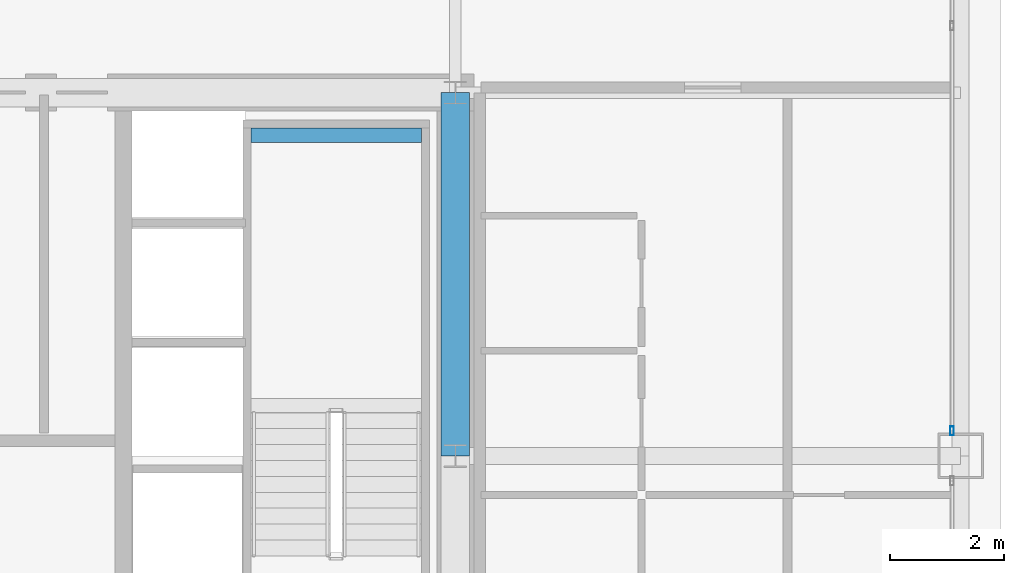
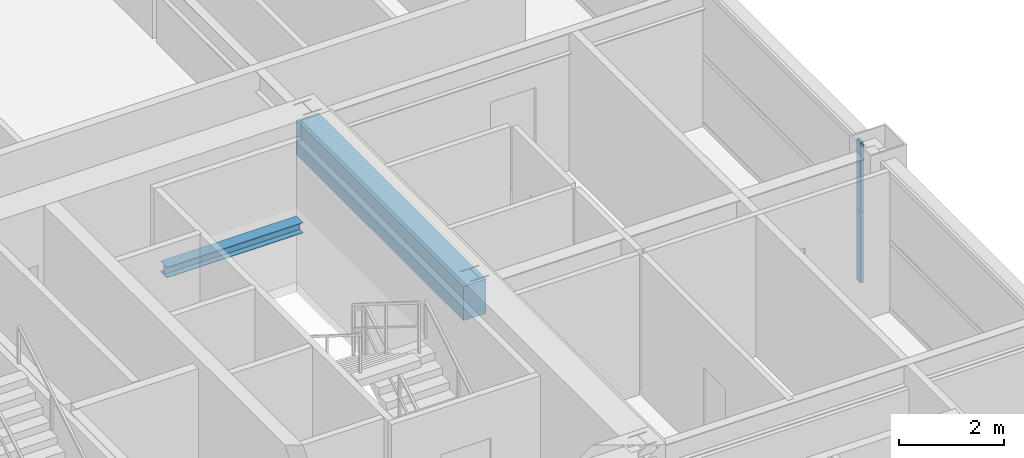
# One storey, part 27 of 45: 2 beams, 2 members, 1 element without a shape of its own.
"""IFC4 building model written with IfcOpenShell, lengths in metres."""

from ifc_helpers import new_model, si_unit, direction, frame, origin, origin_2d, place, context, subcontext, project, spatial, rectangle, hollow_rectangle, i_section, extrude, source, transform, mapped, material, layer, layer_set, material_profile, profile_set, type_object, element, aggregate, save


model = new_model("IFC4")

# Units and contexts
model_context = context("Model", 3, precision=1e-05, world=origin(), true_north=direction((0.0, 1.0)))
body_context = subcontext(model_context, "Body", "Model", "MODEL_VIEW")
ifc_project = project(units=[si_unit("LENGTHUNIT", "METRE"), si_unit("AREAUNIT", "SQUARE_METRE"), si_unit("VOLUMEUNIT", "CUBIC_METRE"), si_unit("PLANEANGLEUNIT", "RADIAN"), si_unit("MASSUNIT", "GRAM", prefix="KILO"), si_unit("THERMODYNAMICTEMPERATUREUNIT", "KELVIN"), si_unit("POWERUNIT", "WATT")], contexts=[model_context])

# Site, building, storey
site_placement = place(None, origin())
site = spatial("IfcSite", under=ifc_project, at=site_placement, CompositionType="ELEMENT")
building_placement = place(site_placement, origin())
building = spatial("IfcBuilding", under=site, at=building_placement, Name="Yuzanri Waterfront Tower", CompositionType="ELEMENT")
storey_placement = place(building_placement, frame((0.0, 0.0, 198.5)))
storey = spatial("IfcBuildingStorey", under=building, at=storey_placement, Name="L52", CompositionType="ELEMENT", Elevation=198.5)

# Beam
ifc_material_1 = material(Name="Concrete C50", Category="concrete")
ifc_material_profile_1 = material_profile(ifc_material_1, rectangle(XDim=0.5, YDim=0.800048828125, at=origin_2d()), Name="RC 500x800")
ifc_profile_set_1 = profile_set([ifc_material_profile_1], Name="Concrete C50")
beam_type_1 = type_object("IfcBeamType", Name="Core Coupling Lintel Concrete C50 500x800", PredefinedType="LINTEL", material=ifc_profile_set_1)
shared_shape_1 = source(origin(), body_context, "Body", "SweptSolid", [
    extrude(rectangle(XDim=0.5, YDim=0.800048828125, at=origin_2d()), origin(), (0.0, 0.0, 1.0), 6.39990234375),
])
beam_1_placement = place(storey_placement, frame((50.199951171875, 25.800048828125, 2.8798828125), z_axis=(0.0, 1.0, 0.0), x_axis=(-1.0, 0.0, 0.0)))
element("IfcBeam", 1, at=beam_1_placement, inside=storey, type_object=beam_type_1, Name="L52 Core Tie Beam CE2", PredefinedType="LINTEL", context=body_context, shape_type="MappedRepresentation", body=[
    mapped(shared_shape_1, transform((0.0, 0.0, 0.0), scale=1.0)),
])

# Curtain wall, members
ifc_material_2 = material(Name="Anodized Architectural Bronze", Category="metal")
ifc_layer = layer(ifc_material_2, 0.159912109375)
ifc_layer_set = layer_set([ifc_layer], Name="Anodized Architectural Bronze")
curtain_wall_type = type_object("IfcCurtainWallType", Name="Anodized Bronze Mid-Rise Residential Acoustic Unitized Curtain Wall 7200", PredefinedType="NOTDEFINED", material=ifc_layer_set)
curtain_wall_placement = place(storey_placement, origin())
curtain_wall = element("IfcCurtainWall", 2, at=curtain_wall_placement, inside=storey, type_object=curtain_wall_type, Name="L52 Curtain Wall CW-L52-ER", PredefinedType="NOTDEFINED")
ifc_material_3 = material(Name="Anodized Architectural Bronze", Category="metal")
ifc_material_profile_2 = material_profile(ifc_material_3, hollow_rectangle(XDim=0.06494140625, YDim=0.159912109375, WallThickness=0.00341796875, at=origin_2d()), Name="CWM 65x160")
ifc_profile_set_2 = profile_set([ifc_material_profile_2], Name="Anodized Architectural Bronze")
member_type = type_object("IfcMemberType", Name="Anodized Bronze Upper-Zone Curtain-Wall Mullion 65x160", PredefinedType="MULLION", material=ifc_profile_set_2)
shared_shape_2 = source(origin(), body_context, "Body", "SweptSolid", [
    extrude(hollow_rectangle(XDim=0.06494140625, YDim=0.159912109375, WallThickness=0.00341796875, at=origin_2d()), origin(), (0.0, 0.0, 1.0), 1.637939453125),
])
member_1_placement = place(storey_placement, frame((58.949951171875, 26.239990234375, 0.0), z_axis=(0.0, 0.0, 1.0), x_axis=(1.0, 0.0, 0.0)))
member_1 = element("IfcMember", 3, at=member_1_placement, type_object=member_type, Name="CW-L52-ER Lower Mullion 00", PredefinedType="MULLION", context=body_context, shape_type="MappedRepresentation", body=[
    mapped(shared_shape_2, transform((0.0, 0.0, 0.0), scale=1.0)),
])
member_2_placement = place(storey_placement, frame((58.949951171875, 26.239990234375, 1.64208984375), z_axis=(0.0, 0.0, 1.0), x_axis=(1.0, 0.0, 0.0)))
member_2 = element("IfcMember", 4, at=member_2_placement, type_object=member_type, Name="CW-L52-ER Upper Mullion 00", PredefinedType="MULLION", context=body_context, shape_type="MappedRepresentation", body=[
    mapped(shared_shape_2, transform((0.0, 0.0, 0.0), scale=1.0)),
])
aggregate(curtain_wall, [member_1, member_2])

# Beam
ifc_material_4 = material(Name="Steel Q355B", Category="steel")
ifc_material_profile_3 = material_profile(ifc_material_4, i_section(OverallWidth=0.25, OverallDepth=0.25, WebThickness=0.009033203125, FlangeThickness=0.013916015625, at=origin_2d()), Name="HW 250x250x9x14")
ifc_profile_set_3 = profile_set([ifc_material_profile_3], Name="Steel Q355B")
beam_type_2 = type_object("IfcBeamType", Name="Stair Landing Support Beam Q355B HW 250x250", PredefinedType="BEAM", material=ifc_profile_set_3)
shared_shape_3 = source(origin(), body_context, "Body", "SweptSolid", [
    extrude(i_section(OverallWidth=0.25, OverallDepth=0.25, WebThickness=0.009033203125, FlangeThickness=0.013916015625, at=origin_2d()), origin(), (0.0, 0.0, 1.0), 3.0),
])
beam_2_placement = place(storey_placement, frame((46.60009765625, 31.449951171875, 1.425048828125), z_axis=(1.0, 0.0, 0.0), x_axis=(0.0, 1.0, 0.0)))
element("IfcBeam", 5, at=beam_2_placement, inside=storey, type_object=beam_type_2, Name="L52 Stair Landing Support Beam ST-02-L52-L1-2", PredefinedType="BEAM", context=body_context, shape_type="MappedRepresentation", body=[
    mapped(shared_shape_3, transform((0.0, 0.0, 0.0), scale=1.0)),
])

save(model, "model.ifc")
